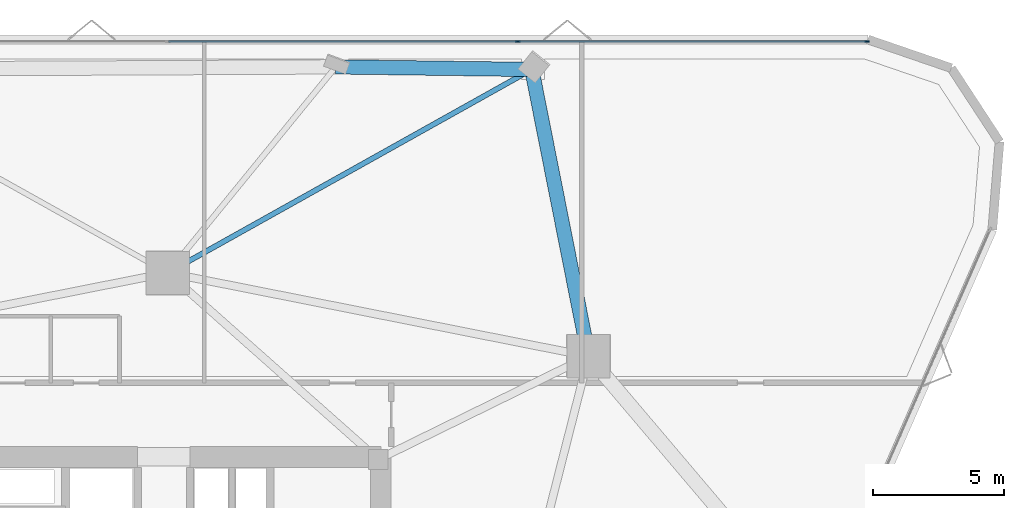
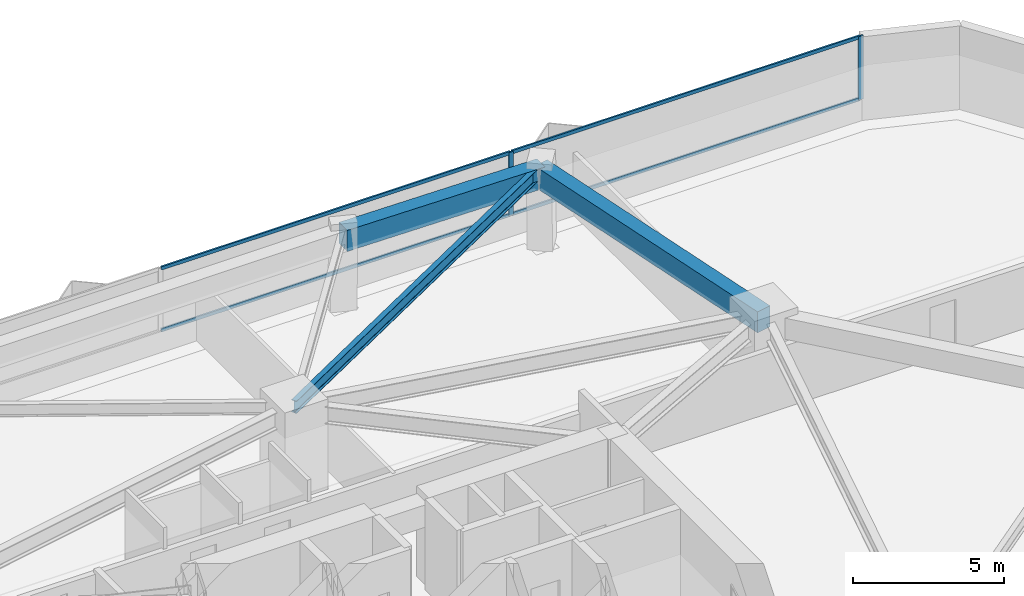
# One storey, part 12 of 20: 6 members, 3 beams, 1 element without a shape of its own.
"""IFC4 building model written with IfcOpenShell, lengths in metres."""

from ifc_helpers import new_model, si_unit, direction, frame, origin, origin_2d, place, context, subcontext, project, spatial, rectangle, i_section, extrude, material, layer, layer_set, material_profile, profile_set, type_object, element, aggregate, save


model = new_model("IFC4")

# Units and contexts
model_context = context("Model", 3, precision=1e-05, world=origin(), true_north=direction((0.0, 1.0)))
body_context = subcontext(model_context, "Body", "Model", "MODEL_VIEW")
ifc_project = project(units=[si_unit("LENGTHUNIT", "METRE"), si_unit("AREAUNIT", "SQUARE_METRE"), si_unit("VOLUMEUNIT", "CUBIC_METRE"), si_unit("PLANEANGLEUNIT", "RADIAN"), si_unit("MASSUNIT", "GRAM", prefix="KILO")], contexts=[model_context])

# Site, building, storey
site_placement = place(None, origin())
site = spatial("IfcSite", under=ifc_project, at=site_placement, CompositionType="ELEMENT")
building_placement = place(site_placement, origin())
building = spatial("IfcBuilding", under=site, at=building_placement, Name="Talyreon Biosciences Tower", CompositionType="ELEMENT")
storey_placement = place(building_placement, frame((0.0, 0.0, 78.64990234375)))
storey = spatial("IfcBuildingStorey", under=building, at=storey_placement, Name="L20", CompositionType="ELEMENT", Elevation=78.64990234375)

# Curtain wall, members
ifc_material_1 = material(Name="Thermally broken aluminium and low-E glazing", Category="aluminium")
ifc_layer = layer(ifc_material_1, 0.18994140625)
ifc_layer_set = layer_set([ifc_layer], Name="Thermally broken aluminium and low-E glazing")
curtain_wall_type = type_object("IfcCurtainWallType", Name="CurtainWall_Zone2Genomics", PredefinedType="NOTDEFINED", material=ifc_layer_set)
curtain_wall_placement = place(storey_placement, origin())
curtain_wall = element("IfcCurtainWall", 1, at=curtain_wall_placement, inside=storey, type_object=curtain_wall_type, Name="L20 Unitised Curtain Wall FCW-L20-04", PredefinedType="NOTDEFINED")
ifc_material_2 = material(Name="Anodised thermally broken aluminium", Category="aluminium")
ifc_material_profile_1 = material_profile(ifc_material_2, rectangle(XDim=0.06494140625, YDim=0.179931640625, at=origin_2d()), Name="ALUM MULLION 65x180")
ifc_profile_set_1 = profile_set([ifc_material_profile_1], Name="Anodised thermally broken aluminium")
member_type_1 = type_object("IfcMemberType", Name="CWMullion_65x180", PredefinedType="MULLION", material=ifc_profile_set_1)
member_1_placement = place(storey_placement, frame((79.392333984375, 90.64013671875, 0.81005859375), z_axis=(0.0, 0.0, 1.0), x_axis=(0.0, 1.0, 0.0)))
member_1 = element("IfcMember", 2, at=member_1_placement, type_object=member_type_1, Name="CW3 mullion 4", PredefinedType="MULLION", context=body_context, shape_type="SweptSolid", body=[
    extrude(rectangle(XDim=0.06494140625, YDim=0.179931640625, at=origin_2d()), origin(), (0.0, 0.0, 1.0), 2.56494140625),
])
member_2_placement = place(storey_placement, frame((92.752197265625, 90.64013671875, 0.81005859375), z_axis=(0.0, 0.0, 1.0), x_axis=(0.0, 1.0, 0.0)))
member_2 = element("IfcMember", 3, at=member_2_placement, type_object=member_type_1, Name="CW3 mullion 5", PredefinedType="MULLION", context=body_context, shape_type="SweptSolid", body=[
    extrude(rectangle(XDim=0.06494140625, YDim=0.179931640625, at=origin_2d()), origin(), (0.0, 0.0, 1.0), 2.56494140625),
])
ifc_material_profile_2 = material_profile(ifc_material_2, rectangle(XDim=0.06494140625, YDim=0.139892578125, at=origin_2d()), Name="ALUM TRANSOM 65x140")
ifc_profile_set_2 = profile_set([ifc_material_profile_2], Name="Anodised thermally broken aluminium")
member_type_2 = type_object("IfcMemberType", Name="CWTransom_65x140", PredefinedType="USERDEFINED", material=ifc_profile_set_2)
member_3_placement = place(storey_placement, frame((66.032470703125, 90.64013671875, 0.842529296875), z_axis=(1.0, 0.0, 0.0), x_axis=(0.0, 1.0, 0.0)))
member_3 = element("IfcMember", 4, at=member_3_placement, type_object=member_type_2, Name="CW3 transom 3.1", ObjectType="TRANSOM", PredefinedType="USERDEFINED", context=body_context, shape_type="SweptSolid", body=[
    extrude(rectangle(XDim=0.06494140625, YDim=0.139892578125, at=origin_2d()), origin(), (0.0, 0.0, 1.0), 13.327392578125),
])
member_4_placement = place(storey_placement, frame((66.032470703125, 90.64013671875, 3.342529296875), z_axis=(1.0, 0.0, 0.0), x_axis=(0.0, 1.0, 0.0)))
member_4 = element("IfcMember", 5, at=member_4_placement, type_object=member_type_2, Name="CW3 transom 3.2", ObjectType="TRANSOM", PredefinedType="USERDEFINED", context=body_context, shape_type="SweptSolid", body=[
    extrude(rectangle(XDim=0.06494140625, YDim=0.139892578125, at=origin_2d()), origin(), (0.0, 0.0, 1.0), 13.327392578125),
])
member_5_placement = place(storey_placement, frame((79.4248046875, 90.64013671875, 0.842529296875), z_axis=(1.0, 0.0, 0.0), x_axis=(0.0, 1.0, 0.0)))
member_5 = element("IfcMember", 6, at=member_5_placement, type_object=member_type_2, Name="CW3 transom 4.1", ObjectType="TRANSOM", PredefinedType="USERDEFINED", context=body_context, shape_type="SweptSolid", body=[
    extrude(rectangle(XDim=0.06494140625, YDim=0.139892578125, at=origin_2d()), origin(), (0.0, 0.0, 1.0), 13.294677734375),
])
member_6_placement = place(storey_placement, frame((79.4248046875, 90.64013671875, 3.342529296875), z_axis=(1.0, 0.0, 0.0), x_axis=(0.0, 1.0, 0.0)))
member_6 = element("IfcMember", 7, at=member_6_placement, type_object=member_type_2, Name="CW3 transom 4.2", ObjectType="TRANSOM", PredefinedType="USERDEFINED", context=body_context, shape_type="SweptSolid", body=[
    extrude(rectangle(XDim=0.06494140625, YDim=0.139892578125, at=origin_2d()), origin(), (0.0, 0.0, 1.0), 13.294677734375),
])
aggregate(curtain_wall, [member_1, member_2, member_3, member_4, member_5, member_6])

# Beams
ifc_material_3 = material(Name="Precast concrete C45/55", Category="concrete")
ifc_material_profile_3 = material_profile(ifc_material_3, rectangle(XDim=0.550048828125, YDim=0.85009765625, at=origin_2d()), Name="RCB 550x850")
ifc_profile_set_3 = profile_set([ifc_material_profile_3], Name="Precast concrete C45/55")
beam_type_1 = type_object("IfcBeamType", Name="ExpressedSpandrel_550x850", PredefinedType="SPANDREL", material=ifc_profile_set_3)
beam_1_placement = place(storey_placement, frame((82.102294921875, 78.5986328125, 2.9501953125), z_axis=(-0.194394826529, 0.980923366741, 0.0), x_axis=(-0.980923366741, -0.194394826529, 0.0)))
element("IfcBeam", 8, at=beam_1_placement, inside=storey, type_object=beam_type_1, Name="L20 Expressed Horizontal Concrete Spandrel 05", PredefinedType="SPANDREL", context=body_context, shape_type="SweptSolid", body=[
    extrude(rectangle(XDim=0.550048828125, YDim=0.85009765625, at=origin_2d()), origin(), (0.0, 0.0, 1.0), 11.18505859375),
])
beam_2_placement = place(storey_placement, frame((79.927978515625, 89.5703125, 2.9501953125), z_axis=(-0.999911377349, 0.013313055547, 0.0), x_axis=(-0.013313055547, -0.999911377349, 0.0)))
element("IfcBeam", 9, at=beam_2_placement, inside=storey, type_object=beam_type_1, Name="L20 Expressed Horizontal Concrete Spandrel 06", PredefinedType="SPANDREL", context=body_context, shape_type="SweptSolid", body=[
    extrude(rectangle(XDim=0.550048828125, YDim=0.85009765625, at=origin_2d()), origin(), (0.0, 0.0, 1.0), 7.50048828125),
])
ifc_material_4 = material(Name="Steel SM355", Category="steel")
ifc_material_profile_4 = material_profile(ifc_material_4, i_section(OverallWidth=0.199951171875, OverallDepth=0.5, WebThickness=0.01025390625, FlangeThickness=0.01611328125, FilletRadius=0.02099609375, at=origin_2d()), Name="IPE500")
ifc_profile_set_4 = profile_set([ifc_material_profile_4], Name="Steel SM355")
beam_type_2 = type_object("IfcBeamType", Name="SteelJoist_IPE500", PredefinedType="JOIST", material=ifc_profile_set_4)
beam_3_placement = place(storey_placement, frame((66.0, 81.788818359375, 3.125), z_axis=(0.872991201121, 0.487735955991, 0.0), x_axis=(-0.487735955991, 0.872991201121, 0.0)))
element("IfcBeam", 10, at=beam_3_placement, inside=storey, type_object=beam_type_2, Name="L20 Radial Composite Floor Joist PC-N1", PredefinedType="JOIST", context=body_context, shape_type="SweptSolid", body=[
    extrude(i_section(OverallWidth=0.199951171875, OverallDepth=0.5, WebThickness=0.01025390625, FlangeThickness=0.01611328125, FilletRadius=0.02099609375, at=origin_2d()), origin(), (0.0, 0.0, 1.0), 15.954345703125),
])

save(model, "model.ifc")
